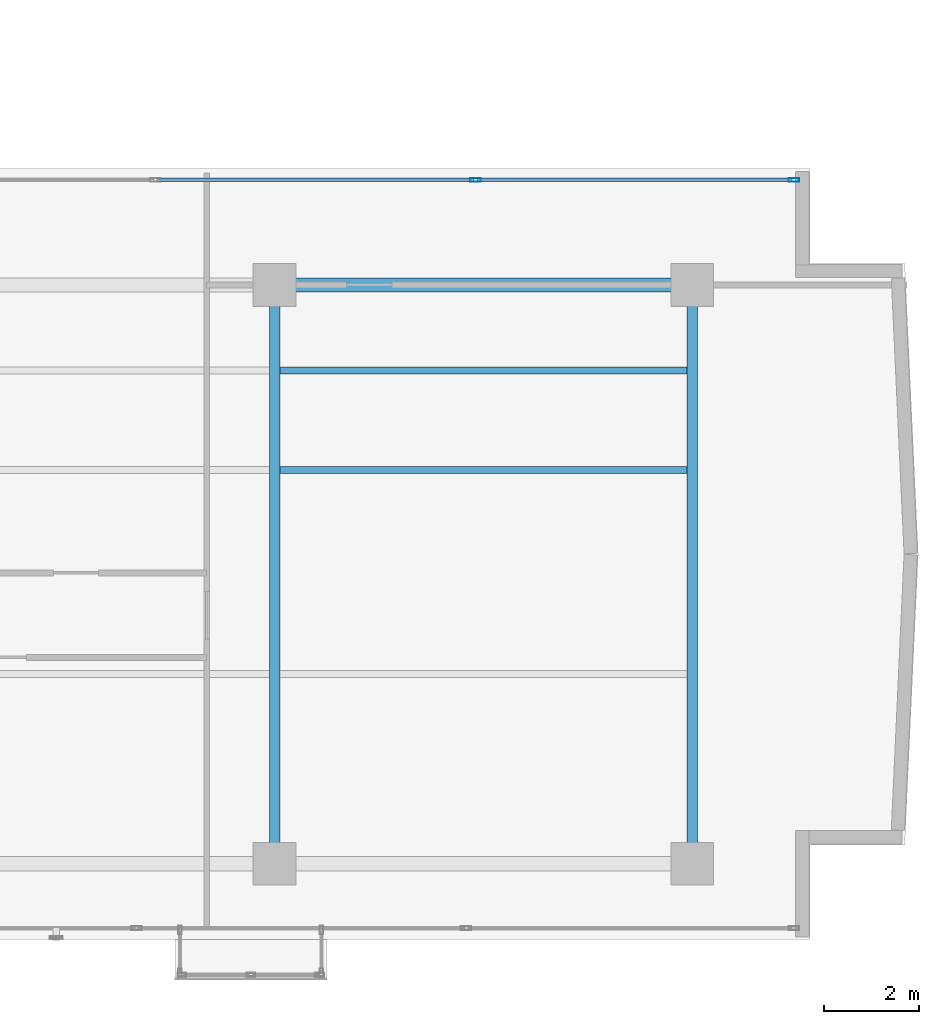
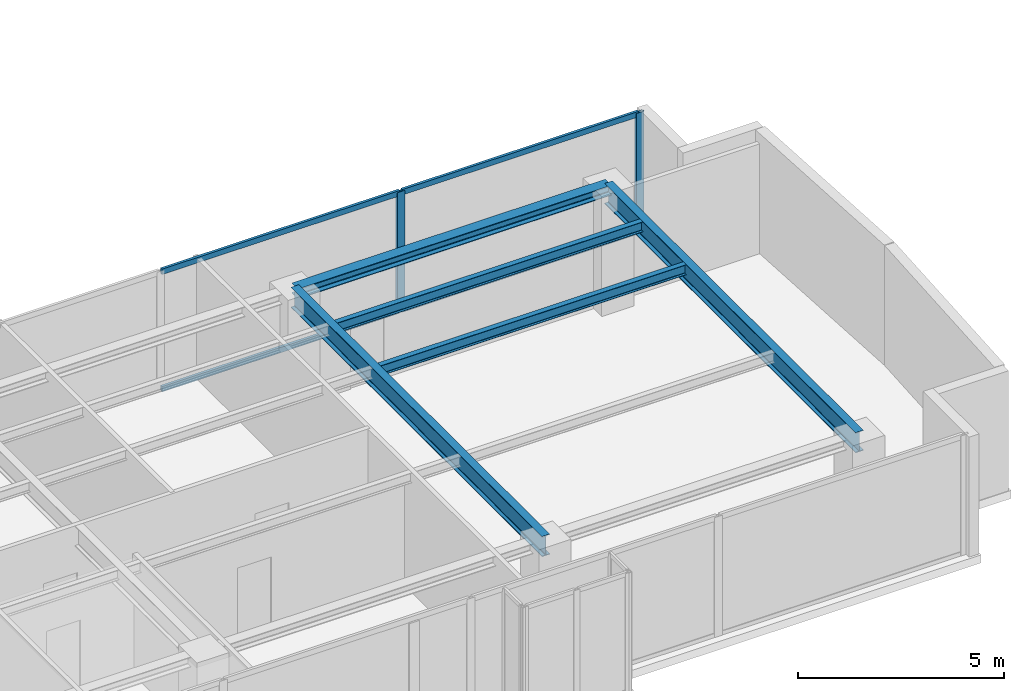
# One storey, part 12 of 24: 6 members, 5 beams, 1 element without a shape of its own.
"""IFC4 building model written with IfcOpenShell, lengths in metres."""

from ifc_helpers import new_model, si_unit, direction, frame, origin, origin_with_axes, origin_2d, place, context, subcontext, project, spatial, hollow_rectangle, i_section, extrude, source, transform, mapped, material, layer, layer_set, material_profile, profile_set, type_object, element, aggregate, save


model = new_model("IFC4")

# Units and contexts
model_context = context("Model", 3, precision=1e-05, world=origin(), true_north=direction((0.0, 1.0)))
body_context = subcontext(model_context, "Body", "Model", "MODEL_VIEW")
ifc_project = project(units=[si_unit("LENGTHUNIT", "METRE"), si_unit("AREAUNIT", "SQUARE_METRE"), si_unit("VOLUMEUNIT", "CUBIC_METRE"), si_unit("PLANEANGLEUNIT", "RADIAN"), si_unit("MASSUNIT", "GRAM", prefix="KILO")], contexts=[model_context])

# Site, building, storey
site_placement = place(None, origin())
site = spatial("IfcSite", under=ifc_project, at=site_placement, CompositionType="ELEMENT")
building_placement = place(site_placement, origin())
building = spatial("IfcBuilding", under=site, at=building_placement, Name="Kolvaren Waterfront Exchange", CompositionType="ELEMENT")
storey_placement = place(building_placement, frame((0.0, 0.0, 316.0)))
storey = spatial("IfcBuildingStorey", under=building, at=storey_placement, Name="L81", CompositionType="ELEMENT", Elevation=316.0)

# Beams
ifc_material_1 = material(Name="Steel S355", Category="steel")
ifc_material_profile_1 = material_profile(ifc_material_1, i_section(OverallWidth=0.300048828125, OverallDepth=0.300048828125, WebThickness=0.010986328125, FlangeThickness=0.01904296875, FilletRadius=0.027099609375, at=origin_2d()), Name="HEB300")
ifc_profile_set_1 = profile_set([ifc_material_profile_1], Name="Steel S355")
beam_type_1 = type_object("IfcBeamType", Name="STR-BM-HEB300", PredefinedType="SPANDREL", material=ifc_profile_set_1)
beam_placement = place(storey_placement, frame((36.800048828125, 17.39990234375, 3.409912109375), z_axis=(1.0, 0.0, 0.0), x_axis=(0.0, 1.0, 0.0)))
element("IfcBeam", 1, at=beam_placement, inside=storey, type_object=beam_type_1, Name="L81 east-arm spandrel N3", PredefinedType="SPANDREL", context=body_context, shape_type="SweptSolid", body=[
    extrude(i_section(OverallWidth=0.300048828125, OverallDepth=0.300048828125, WebThickness=0.010986328125, FlangeThickness=0.01904296875, FilletRadius=0.027099609375, at=origin_2d()), origin(), (0.0, 0.0, 1.0), 8.800048828125),
])
ifc_material_profile_2 = material_profile(ifc_material_1, i_section(OverallWidth=0.14990234375, OverallDepth=0.300048828125, WebThickness=0.007080078125, FlangeThickness=0.0107421875, FilletRadius=0.014892578125, at=origin_2d()), Name="IPE300")
ifc_profile_set_2 = profile_set([ifc_material_profile_2], Name="Steel S355")
beam_type_2 = type_object("IfcBeamType", Name="STR-BM-IPE300", PredefinedType="JOIST", material=ifc_profile_set_2)
for number, where, z_axis, x_axis, name in (
    (2, (36.912109375, 13.5, 3.409912109375), (1.0, 0.0, 0.0), (0.0, 1.0, 0.0), "L81 east-arm composite joist 3A"),
    (3, (36.912109375, 15.60009765625, 3.409912109375), (1.0, 0.0, 0.0), (0.0, 1.0, 0.0), "L81 east-arm composite joist 3C"),
):
    element("IfcBeam", number, at=place(storey_placement, frame(where, z_axis=z_axis, x_axis=x_axis)), inside=storey, type_object=beam_type_2, Name=name, PredefinedType="JOIST", context=body_context, shape_type="SweptSolid", body=[
        extrude(i_section(OverallWidth=0.14990234375, OverallDepth=0.300048828125, WebThickness=0.007080078125, FlangeThickness=0.0107421875, FilletRadius=0.014892578125, at=origin_2d()), origin(), (0.0, 0.0, 1.0), 8.575927734375),
    ])
ifc_material_profile_3 = material_profile(ifc_material_1, i_section(OverallWidth=0.219970703125, OverallDepth=0.60009765625, WebThickness=0.011962890625, FlangeThickness=0.01904296875, FilletRadius=0.02392578125, at=origin_2d()), Name="IPE600")
ifc_profile_set_3 = profile_set([ifc_material_profile_3], Name="Steel S355")
beam_type_3 = type_object("IfcBeamType", Name="STR-BM-IPE600", PredefinedType="BEAM", material=ifc_profile_set_3)
for number, where, z_axis, x_axis, name in (
    (4, (36.800048828125, 5.199951171875, 3.260009765625), (0.0, 1.0, 0.0), (-1.0, 0.0, 0.0), "L81 east-arm transverse girder X36"),
    (5, (45.60009765625, 5.199951171875, 3.260009765625), (0.0, 1.0, 0.0), (-1.0, 0.0, 0.0), "L81 east-arm transverse girder X45"),
):
    element("IfcBeam", number, at=place(storey_placement, frame(where, z_axis=z_axis, x_axis=x_axis)), inside=storey, type_object=beam_type_3, Name=name, PredefinedType="BEAM", context=body_context, shape_type="SweptSolid", body=[
        extrude(i_section(OverallWidth=0.219970703125, OverallDepth=0.60009765625, WebThickness=0.011962890625, FlangeThickness=0.01904296875, FilletRadius=0.02392578125, at=origin_2d()), origin(), (0.0, 0.0, 1.0), 12.199951171875),
    ])

# Curtain wall, members
ifc_material_2 = material(Name="Anodised bronze aluminium 6063-T6", Category="aluminium")
ifc_layer = layer(ifc_material_2, 0.219970703125, Name="Anodised bronze aluminium 6063-T6")
ifc_layer_set = layer_set([ifc_layer], Name="Anodised bronze aluminium 6063-T6")
curtain_wall_type = type_object("IfcCurtainWallType", Name="ARC-CW-SYS1", PredefinedType="USERDEFINED", material=ifc_layer_set)
curtain_wall_placement = place(storey_placement, origin())
curtain_wall = element("IfcCurtainWall", 6, at=curtain_wall_placement, inside=storey, type_object=curtain_wall_type, Name="L81 stick curtain wall CW1 (CW-L81-EN)", ObjectType="STICK CURTAIN WALL", PredefinedType="USERDEFINED")
ifc_material_3 = material(Name="Anodised aluminium 6063-T6", Category="aluminium")
ifc_material_profile_4 = material_profile(ifc_material_3, hollow_rectangle(XDim=0.080078125, YDim=0.219970703125, WallThickness=0.0048828125, at=origin_2d()), Name="ALU-MUL-220x80x5")
ifc_profile_set_4 = profile_set([ifc_material_profile_4], Name="Anodised aluminium 6063-T6")
member_type_1 = type_object("IfcMemberType", Name="ARC-CWM-220", PredefinedType="MULLION", material=ifc_profile_set_4)
shared_shape_1 = source(origin_with_axes(), body_context, "Body", "SweptSolid", [
    extrude(hollow_rectangle(XDim=0.080078125, YDim=0.219970703125, WallThickness=0.0048828125, at=origin_2d()), origin(), (0.0, 0.0, 1.0), 3.56005859375),
])
member_1_placement = place(storey_placement, frame((41.037109375, 19.612548828125, 0.0), z_axis=(0.0, 0.0, 1.0), x_axis=(0.0, 1.0, 0.0)))
member_1 = element("IfcMember", 7, at=member_1_placement, type_object=member_type_1, Name="CW1 mullion 3", PredefinedType="MULLION", context=body_context, shape_type="MappedRepresentation", body=[
    mapped(shared_shape_1, transform((0.0, 0.0, 0.0), x_axis=(1.0, 0.0, 0.0), y_axis=(0.0, 1.0, 0.0), z_axis=(0.0, 0.0, 1.0), scale=1.0)),
])
member_2_placement = place(storey_placement, frame((47.744140625, 19.612548828125, 0.0), z_axis=(0.0, 0.0, 1.0), x_axis=(0.0, 1.0, 0.0)))
member_2 = element("IfcMember", 8, at=member_2_placement, type_object=member_type_1, Name="CW1 mullion 4", PredefinedType="MULLION", context=body_context, shape_type="MappedRepresentation", body=[
    mapped(shared_shape_1, transform((0.0, 0.0, 0.0), x_axis=(1.0, 0.0, 0.0), y_axis=(0.0, 1.0, 0.0), z_axis=(0.0, 0.0, 1.0), scale=1.0)),
])
ifc_material_profile_5 = material_profile(ifc_material_3, hollow_rectangle(XDim=0.074951171875, YDim=0.159912109375, WallThickness=0.00439453125, at=origin_2d()), Name="ALU-TRN-160x75x4.5")
ifc_profile_set_5 = profile_set([ifc_material_profile_5], Name="Anodised aluminium 6063-T6")
member_type_2 = type_object("IfcMemberType", Name="ARC-CWT-160", PredefinedType="USERDEFINED", material=ifc_profile_set_5)
shared_shape_2 = source(origin_with_axes(), body_context, "Body", "SweptSolid", [
    extrude(hollow_rectangle(XDim=0.074951171875, YDim=0.159912109375, WallThickness=0.00439453125, at=origin_2d()), origin(), (0.0, 0.0, 1.0), 6.627197265625),
])
member_3_placement = place(storey_placement, frame((41.076904296875, 19.612548828125, 0.03759765625), z_axis=(1.0, 0.0, 0.0), x_axis=(0.0, 1.0, 0.0)))
member_3 = element("IfcMember", 9, at=member_3_placement, type_object=member_type_2, Name="CW1 transom 3.1", ObjectType="TRANSOM", PredefinedType="USERDEFINED", context=body_context, shape_type="MappedRepresentation", body=[
    mapped(shared_shape_2, transform((0.0, 0.0, 0.0), x_axis=(1.0, 0.0, 0.0), y_axis=(0.0, 1.0, 0.0), z_axis=(0.0, 0.0, 1.0), scale=1.0)),
])
member_4_placement = place(storey_placement, frame((41.076904296875, 19.612548828125, 3.5224609375), z_axis=(1.0, 0.0, 0.0), x_axis=(0.0, 1.0, 0.0)))
member_4 = element("IfcMember", 10, at=member_4_placement, type_object=member_type_2, Name="CW1 transom 3.2", ObjectType="TRANSOM", PredefinedType="USERDEFINED", context=body_context, shape_type="MappedRepresentation", body=[
    mapped(shared_shape_2, transform((0.0, 0.0, 0.0), x_axis=(1.0, 0.0, 0.0), y_axis=(0.0, 1.0, 0.0), z_axis=(0.0, 0.0, 1.0), scale=1.0)),
])
shared_shape_3 = source(origin_with_axes(), body_context, "Body", "SweptSolid", [
    extrude(hollow_rectangle(XDim=0.074951171875, YDim=0.159912109375, WallThickness=0.00439453125, at=origin_2d()), origin(), (0.0, 0.0, 1.0), 6.667236328125),
])
member_5_placement = place(storey_placement, frame((34.329833984375, 19.612548828125, 0.03759765625), z_axis=(1.0, 0.0, 0.0), x_axis=(0.0, 1.0, 0.0)))
member_5 = element("IfcMember", 11, at=member_5_placement, type_object=member_type_2, Name="CW1 transom 2.1", ObjectType="TRANSOM", PredefinedType="USERDEFINED", context=body_context, shape_type="MappedRepresentation", body=[
    mapped(shared_shape_3, transform((0.0, 0.0, 0.0), x_axis=(1.0, 0.0, 0.0), y_axis=(0.0, 1.0, 0.0), z_axis=(0.0, 0.0, 1.0), scale=1.0)),
])
member_6_placement = place(storey_placement, frame((34.329833984375, 19.612548828125, 3.5224609375), z_axis=(1.0, 0.0, 0.0), x_axis=(0.0, 1.0, 0.0)))
member_6 = element("IfcMember", 12, at=member_6_placement, type_object=member_type_2, Name="CW1 transom 2.2", ObjectType="TRANSOM", PredefinedType="USERDEFINED", context=body_context, shape_type="MappedRepresentation", body=[
    mapped(shared_shape_3, transform((0.0, 0.0, 0.0), x_axis=(1.0, 0.0, 0.0), y_axis=(0.0, 1.0, 0.0), z_axis=(0.0, 0.0, 1.0), scale=1.0)),
])
aggregate(curtain_wall, [member_1, member_2, member_5, member_6, member_3, member_4])

save(model, "model.ifc")
